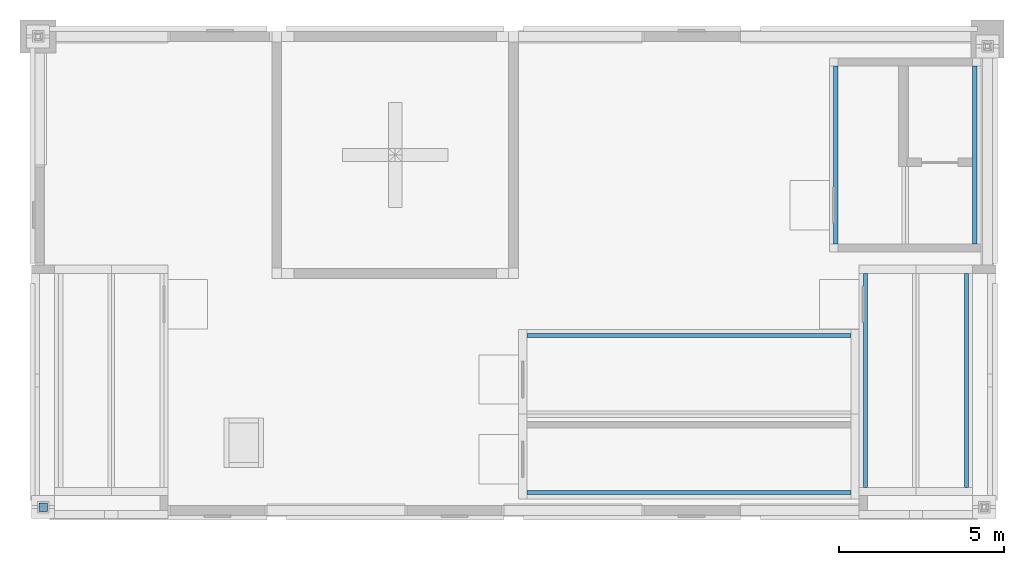
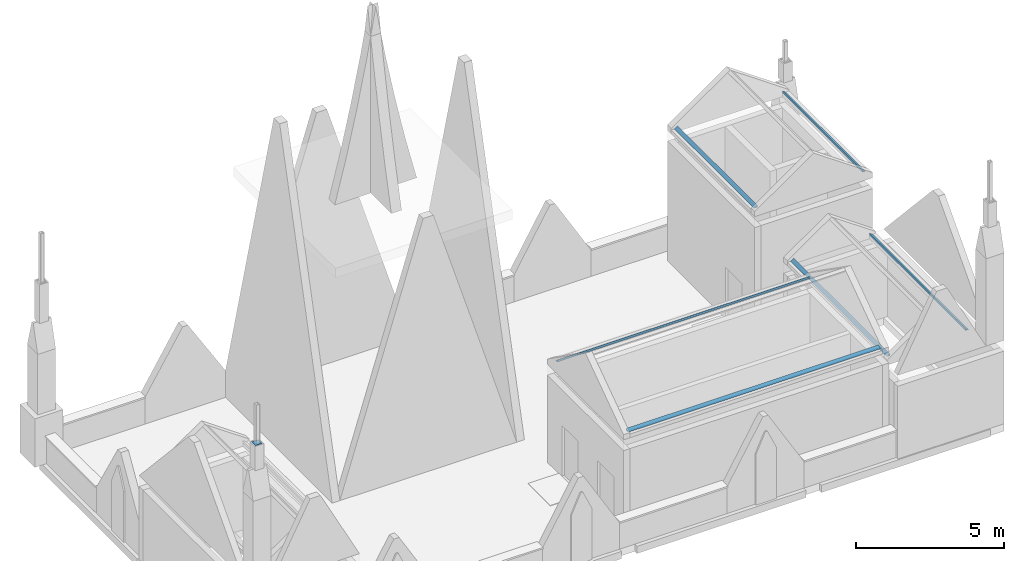
# One storey, part 5 of 10: 7 discrete accessories.
"""IFC4 building model written with IfcOpenShell, lengths in metres."""

from ifc_helpers import new_model, si_unit, direction, frame, origin, origin_2d, place, context, subcontext, project, spatial, polyline, rectangle, outline, extrude, material, element, save


model = new_model("IFC4")

# Units and contexts
model_context = context("Model", 3, precision=1e-05, world=origin(), true_north=direction((0.0, 1.0)))
body_context = subcontext(model_context, "Body", "Model", "MODEL_VIEW")
ifc_project = project(units=[si_unit("LENGTHUNIT", "METRE"), si_unit("AREAUNIT", "SQUARE_METRE"), si_unit("VOLUMEUNIT", "CUBIC_METRE"), si_unit("PLANEANGLEUNIT", "RADIAN"), si_unit("MASSUNIT", "GRAM", prefix="KILO")], contexts=[model_context])

# Site, building, storey
site_placement = place(None, origin())
site = spatial("IfcSite", under=ifc_project, at=site_placement, CompositionType="ELEMENT")
building_placement = place(site_placement, origin())
building = spatial("IfcBuilding", under=site, at=building_placement, Name="Silangan Lancet Faculty of Sciences", CompositionType="ELEMENT")
storey_placement = place(building_placement, frame((0.0, 0.0, 81.300048828125)))
storey = spatial("IfcBuildingStorey", under=building, at=storey_placement, Name="ROOF", CompositionType="ELEMENT", Elevation=81.300048828125)

# Discrete accessories
ifc_material_1 = material(Name="Concrete C35/45 precast", Category="concrete")
for number, where, z_axis, x_axis, name in (
    (1, (25.02490234375, 0.699951171875, 3.599853515625), (0.0, 1.0, 0.0), (-1.0, 0.0, 0.0), "Head-house ST-B bedding wedge W"),
    (2, (28.22509765625, 7.199951171875, 3.599853515625), (0.0, -1.0, 0.0), (1.0, 0.0, 0.0), "Head-house ST-B bedding wedge E"),
):
    element("IfcDiscreteAccessory", number, at=place(storey_placement, frame(where, z_axis=z_axis, x_axis=x_axis)), inside=storey, material=ifc_material_1, Name=name, PredefinedType="BRACKET", context=body_context, shape_type="SweptSolid", body=[
        extrude(outline(polyline([(0.0, 0.0), (-0.125, 0.0), (-0.125, 0.08740234375), (0.0, 0.0)])), origin(), (0.0, 0.0, 1.0), 6.5),
    ])
for number, where, z_axis, x_axis, name in (
    (3, (24.125, 8.10009765625, 5.550048828125), (0.0, 1.0, 0.0), (-1.0, 0.0, 0.0), "Head-house ST-P bedding wedge W"),
    (4, (28.47509765625, 13.5, 5.550048828125), (0.0, -1.0, 0.0), (1.0, 0.0, 0.0), "Head-house ST-P bedding wedge E"),
):
    element("IfcDiscreteAccessory", number, at=place(storey_placement, frame(where, z_axis=z_axis, x_axis=x_axis)), inside=storey, material=ifc_material_1, Name=name, PredefinedType="BRACKET", context=body_context, shape_type="SweptSolid", body=[
        extrude(outline(polyline([(0.0, 0.0), (-0.125, 0.0), (-0.125, 0.08740234375), (0.0, 0.0)])), origin(), (0.0, 0.0, 1.0), 5.39990234375),
    ])
for number, where, z_axis, x_axis, name in (
    (5, (24.64990234375, 0.47509765625, 4.199951171875), (-1.0, 0.0, 0.0), (0.0, -1.0, 0.0), "Head-house ST-PL bedding wedge S"),
    (6, (14.800048828125, 5.375, 4.199951171875), (1.0, 0.0, 0.0), (0.0, 1.0, 0.0), "Head-house ST-PL bedding wedge N"),
):
    element("IfcDiscreteAccessory", number, at=place(storey_placement, frame(where, z_axis=z_axis, x_axis=x_axis)), inside=storey, material=ifc_material_1, Name=name, PredefinedType="BRACKET", context=body_context, shape_type="SweptSolid", body=[
        extrude(outline(polyline([(0.0, 0.0), (-0.125, 0.0), (-0.125, 0.08740234375), (0.0, 0.0)])), origin(), (0.0, 0.0, 1.0), 9.849853515625),
    ])
ifc_material_2 = material(Name="Steel SS400", Category="steel")
discrete_accessory_placement = place(storey_placement, frame((0.10009765625, 0.10009765625, 9.1337890625), z_axis=(0.0, 0.0, 1.0), x_axis=(1.0, 0.0, 0.0)))
element("IfcDiscreteAccessory", 7, at=discrete_accessory_placement, inside=storey, material=ifc_material_2, Name="Pinnacle seat plate RS3 ST-SW", PredefinedType="ANCHORPLATE", context=body_context, shape_type="SweptSolid", body=[
    extrude(rectangle(XDim=0.260009765625, YDim=0.260009765625, at=origin_2d()), origin(), (0.0, 0.0, 1.0), 0.01611328125),
])

save(model, "model.ifc")
